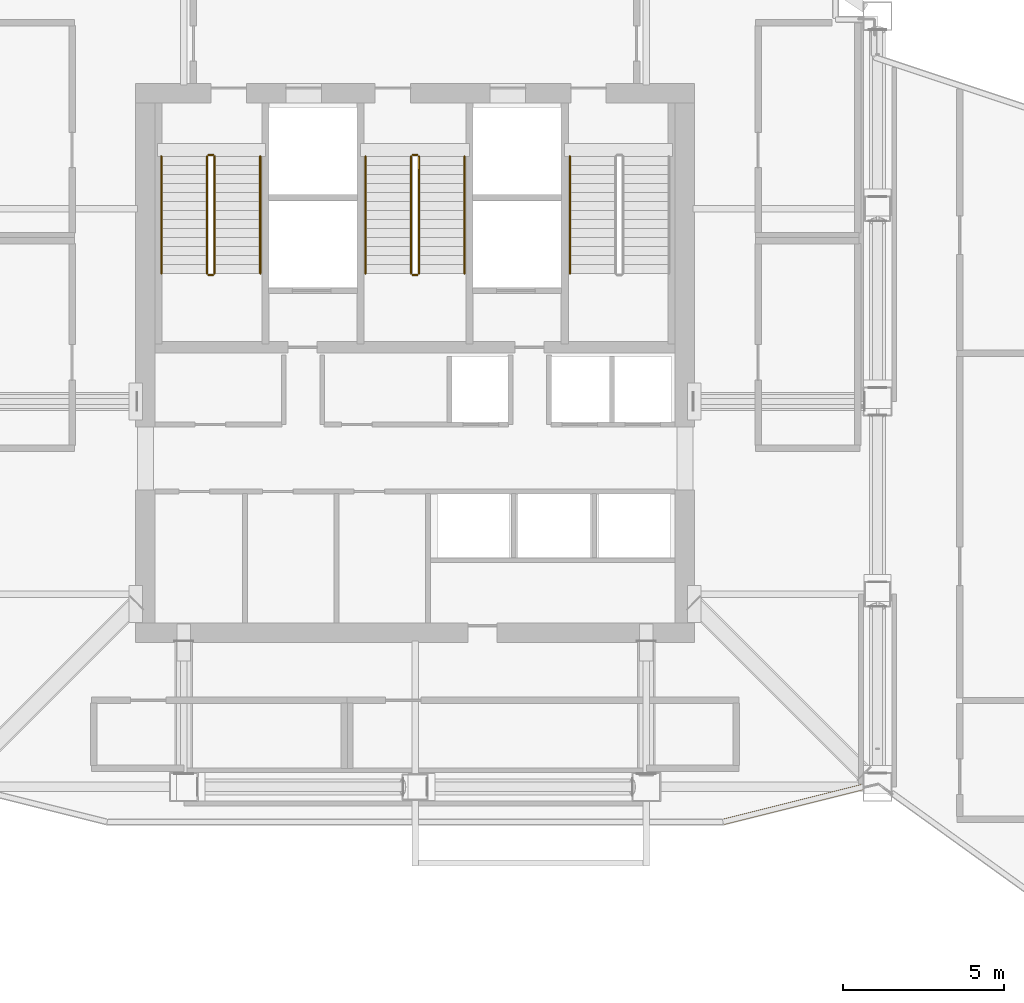
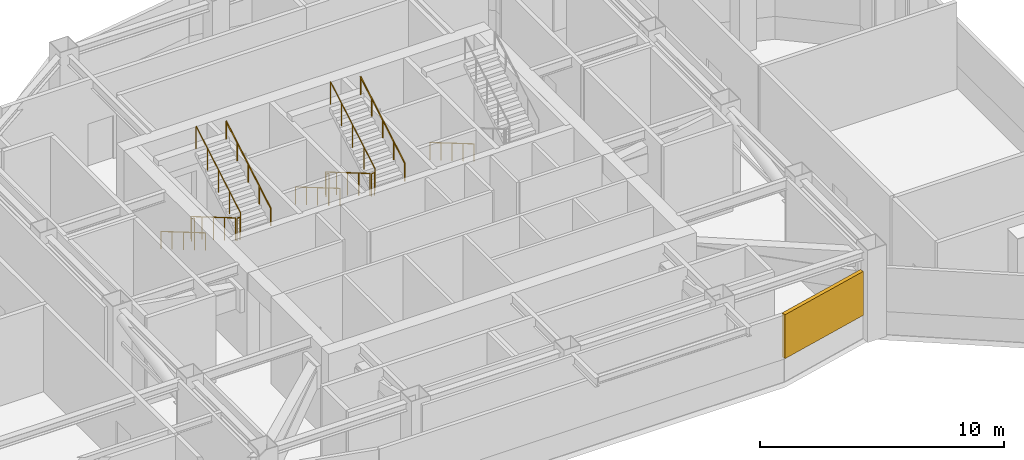
# One storey, part 17 of 19: 13 railings, 1 shading device.
"""IFC4 building model written with IfcOpenShell, lengths in metres."""

from ifc_helpers import new_model, si_unit, direction, frame, origin, origin_2d, place, context, subcontext, project, spatial, rectangle, circle, extrude, material, type_object, element, save


model = new_model("IFC4")

# Units and contexts
model_context = context("Model", 3, precision=1e-05, world=origin(), true_north=direction((0.0, 1.0)))
body_context = subcontext(model_context, "Body", "Model", "MODEL_VIEW")
ifc_project = project(units=[si_unit("LENGTHUNIT", "METRE"), si_unit("AREAUNIT", "SQUARE_METRE"), si_unit("VOLUMEUNIT", "CUBIC_METRE"), si_unit("PLANEANGLEUNIT", "RADIAN"), si_unit("MASSUNIT", "GRAM", prefix="KILO")], contexts=[model_context])

# Site, building, storey
site_placement = place(None, origin())
site = spatial("IfcSite", under=ifc_project, at=site_placement, CompositionType="ELEMENT")
building_placement = place(site_placement, origin())
building = spatial("IfcBuilding", under=site, at=building_placement, Name="Haolan Belvedere Tower", CompositionType="ELEMENT")
storey_placement = place(building_placement, frame((0.0, 0.0, 230.60009765625)))
storey = spatial("IfcBuildingStorey", under=building, at=storey_placement, Name="L58", CompositionType="ELEMENT", Elevation=230.60009765625)

# Railings
ifc_material_1 = material(Name="Brushed stainless steel 304", Category="steel")
railing_type_1 = type_object("IfcRailingType", Name="RL-STAIR-GRD-1150", PredefinedType="GUARDRAIL", material=ifc_material_1)
railing_1_placement = place(storey_placement, frame((31.919921875, 41.22998046875, 0.164306640625)))
element("IfcRailing", 1, at=railing_1_placement, inside=storey, type_object=railing_type_1, Name="L58 ST1 stair guard 1", PredefinedType="GUARDRAIL", context=body_context, shape_type="SweptSolid", body=[
    extrude(circle(Radius=0.02392578125, at=origin_2d()), frame((0.0, 0.0, 1.1259765625), z_axis=(0.0, -0.862515142463, 0.50603125301), x_axis=(1.0, 0.0, 0.0)), (0.0, 0.0, 1.0), 4.219970703125),
    extrude(circle(Radius=0.02099609375, at=origin_2d()), origin(), (0.0, 0.0, 1.0), 1.101806640625),
    extrude(circle(Radius=0.02099609375, at=origin_2d()), frame((0.0, -0.909912109375, 0.533935546875)), (0.0, 0.0, 1.0), 1.101806640625),
    extrude(circle(Radius=0.02099609375, at=origin_2d()), frame((0.0, -1.81982421875, 1.06787109375)), (0.0, 0.0, 1.0), 1.101806640625),
    extrude(circle(Radius=0.02099609375, at=origin_2d()), frame((0.0, -2.72998046875, 1.6015625)), (0.0, 0.0, 1.0), 1.101806640625),
    extrude(circle(Radius=0.02099609375, at=origin_2d()), frame((0.0, -3.639892578125, 2.135498046875)), (0.0, 0.0, 1.0), 1.101806640625),
])
railing_2_placement = place(storey_placement, frame((31.969970703125, 37.5400390625, 2.2998046875)))
element("IfcRailing", 2, at=railing_2_placement, inside=storey, type_object=railing_type_1, Name="L58 ST1 stair guard 2", PredefinedType="GUARDRAIL", context=body_context, shape_type="SweptSolid", body=[
    extrude(circle(Radius=0.02392578125, at=origin_2d()), frame((0.0, 0.0, 1.1259765625), z_axis=(1.0, 0.0, 0.0), x_axis=(0.0, 1.0, 0.0)), (0.0, 0.0, 1.0), 0.14013671875),
    extrude(circle(Radius=0.02099609375, at=origin_2d()), origin(), (0.0, 0.0, 1.0), 1.101806640625),
    extrude(circle(Radius=0.02099609375, at=origin_2d()), frame((0.14013671875, 0.0, 0.0)), (0.0, 0.0, 1.0), 1.101806640625),
])
railing_3_placement = place(storey_placement, frame((32.159912109375, 37.590087890625, 2.464111328125)))
element("IfcRailing", 3, at=railing_3_placement, inside=storey, type_object=railing_type_1, Name="L58 ST1 stair guard 3", PredefinedType="GUARDRAIL", context=body_context, shape_type="SweptSolid", body=[
    extrude(circle(Radius=0.02392578125, at=origin_2d()), frame((0.0, 0.0, 1.1259765625), z_axis=(0.0, 0.862489892076, 0.506074289079), x_axis=(-1.0, 0.0, 0.0)), (0.0, 0.0, 1.0), 4.22021484375),
    extrude(circle(Radius=0.02099609375, at=origin_2d()), origin(), (0.0, 0.0, 1.0), 1.101806640625),
    extrude(circle(Radius=0.02099609375, at=origin_2d()), frame((0.0, 0.909912109375, 0.533935546875)), (0.0, 0.0, 1.0), 1.101806640625),
    extrude(circle(Radius=0.02099609375, at=origin_2d()), frame((0.0, 1.81982421875, 1.06787109375)), (0.0, 0.0, 1.0), 1.101806640625),
    extrude(circle(Radius=0.02099609375, at=origin_2d()), frame((0.0, 2.72998046875, 1.601806640625)), (0.0, 0.0, 1.0), 1.101806640625),
    extrude(circle(Radius=0.02099609375, at=origin_2d()), frame((0.0, 3.639892578125, 2.1357421875)), (0.0, 0.0, 1.0), 1.101806640625),
])
railing_4_placement = place(storey_placement, frame((31.969970703125, 41.280029296875, 0.0)))
element("IfcRailing", 4, at=railing_4_placement, inside=storey, type_object=railing_type_1, Name="L58 ST1 stair guard 4", PredefinedType="GUARDRAIL", context=body_context, shape_type="SweptSolid", body=[
    extrude(circle(Radius=0.02392578125, at=origin_2d()), frame((0.0, 0.0, 1.1259765625), z_axis=(1.0, 0.0, 0.0), x_axis=(0.0, 1.0, 0.0)), (0.0, 0.0, 1.0), 0.14013671875),
    extrude(circle(Radius=0.02099609375, at=origin_2d()), origin(), (0.0, 0.0, 1.0), 1.101806640625),
    extrude(circle(Radius=0.02099609375, at=origin_2d()), frame((0.14013671875, 0.0, 0.0)), (0.0, 0.0, 1.0), 1.101806640625),
])
railing_5_placement = place(storey_placement, frame((38.280029296875, 41.22998046875, 0.164306640625)))
element("IfcRailing", 5, at=railing_5_placement, inside=storey, type_object=railing_type_1, Name="L58 ST3 stair guard 1", PredefinedType="GUARDRAIL", context=body_context, shape_type="SweptSolid", body=[
    extrude(circle(Radius=0.02392578125, at=origin_2d()), frame((0.0, 0.0, 1.1259765625), z_axis=(0.0, -0.862515142463, 0.50603125301), x_axis=(1.0, 0.0, 0.0)), (0.0, 0.0, 1.0), 4.219970703125),
    extrude(circle(Radius=0.02099609375, at=origin_2d()), origin(), (0.0, 0.0, 1.0), 1.101806640625),
    extrude(circle(Radius=0.02099609375, at=origin_2d()), frame((0.0, -0.909912109375, 0.533935546875)), (0.0, 0.0, 1.0), 1.101806640625),
    extrude(circle(Radius=0.02099609375, at=origin_2d()), frame((0.0, -1.81982421875, 1.06787109375)), (0.0, 0.0, 1.0), 1.101806640625),
    extrude(circle(Radius=0.02099609375, at=origin_2d()), frame((0.0, -2.72998046875, 1.6015625)), (0.0, 0.0, 1.0), 1.101806640625),
    extrude(circle(Radius=0.02099609375, at=origin_2d()), frame((0.0, -3.639892578125, 2.135498046875)), (0.0, 0.0, 1.0), 1.101806640625),
])
railing_6_placement = place(storey_placement, frame((38.330078125, 37.5400390625, 2.2998046875)))
element("IfcRailing", 6, at=railing_6_placement, inside=storey, type_object=railing_type_1, Name="L58 ST3 stair guard 2", PredefinedType="GUARDRAIL", context=body_context, shape_type="SweptSolid", body=[
    extrude(circle(Radius=0.02392578125, at=origin_2d()), frame((0.0, 0.0, 1.1259765625), z_axis=(1.0, 0.0, 0.0), x_axis=(0.0, 1.0, 0.0)), (0.0, 0.0, 1.0), 0.139892578125),
    extrude(circle(Radius=0.02099609375, at=origin_2d()), origin(), (0.0, 0.0, 1.0), 1.101806640625),
    extrude(circle(Radius=0.02099609375, at=origin_2d()), frame((0.139892578125, 0.0, 0.0)), (0.0, 0.0, 1.0), 1.101806640625),
])
railing_7_placement = place(storey_placement, frame((38.52001953125, 37.590087890625, 2.464111328125)))
element("IfcRailing", 7, at=railing_7_placement, inside=storey, type_object=railing_type_1, Name="L58 ST3 stair guard 3", PredefinedType="GUARDRAIL", context=body_context, shape_type="SweptSolid", body=[
    extrude(circle(Radius=0.02392578125, at=origin_2d()), frame((0.0, 0.0, 1.1259765625), z_axis=(0.0, 0.862489892076, 0.506074289079), x_axis=(-1.0, 0.0, 0.0)), (0.0, 0.0, 1.0), 4.22021484375),
    extrude(circle(Radius=0.02099609375, at=origin_2d()), origin(), (0.0, 0.0, 1.0), 1.101806640625),
    extrude(circle(Radius=0.02099609375, at=origin_2d()), frame((0.0, 0.909912109375, 0.533935546875)), (0.0, 0.0, 1.0), 1.101806640625),
    extrude(circle(Radius=0.02099609375, at=origin_2d()), frame((0.0, 1.81982421875, 1.06787109375)), (0.0, 0.0, 1.0), 1.101806640625),
    extrude(circle(Radius=0.02099609375, at=origin_2d()), frame((0.0, 2.72998046875, 1.601806640625)), (0.0, 0.0, 1.0), 1.101806640625),
    extrude(circle(Radius=0.02099609375, at=origin_2d()), frame((0.0, 3.639892578125, 2.1357421875)), (0.0, 0.0, 1.0), 1.101806640625),
])
railing_8_placement = place(storey_placement, frame((38.330078125, 41.280029296875, 0.0)))
element("IfcRailing", 8, at=railing_8_placement, inside=storey, type_object=railing_type_1, Name="L58 ST3 stair guard 4", PredefinedType="GUARDRAIL", context=body_context, shape_type="SweptSolid", body=[
    extrude(circle(Radius=0.02392578125, at=origin_2d()), frame((0.0, 0.0, 1.1259765625), z_axis=(1.0, 0.0, 0.0), x_axis=(0.0, 1.0, 0.0)), (0.0, 0.0, 1.0), 0.139892578125),
    extrude(circle(Radius=0.02099609375, at=origin_2d()), origin(), (0.0, 0.0, 1.0), 1.101806640625),
    extrude(circle(Radius=0.02099609375, at=origin_2d()), frame((0.139892578125, 0.0, 0.0)), (0.0, 0.0, 1.0), 1.101806640625),
])
railing_type_2 = type_object("IfcRailingType", Name="RL-STAIR-HND-900", PredefinedType="HANDRAIL", material=ifc_material_1)
railing_9_placement = place(storey_placement, frame((30.5, 41.22998046875, 0.164306640625)))
element("IfcRailing", 9, at=railing_9_placement, inside=storey, type_object=railing_type_2, Name="L58 ST1 stair handrail 1", PredefinedType="HANDRAIL", context=body_context, shape_type="SweptSolid", body=[
    extrude(circle(Radius=0.02392578125, at=origin_2d()), frame((0.0, 0.0, 0.8759765625), z_axis=(0.0, -0.862515142463, 0.50603125301), x_axis=(1.0, 0.0, 0.0)), (0.0, 0.0, 1.0), 4.219970703125),
    extrude(circle(Radius=0.02099609375, at=origin_2d()), origin(), (0.0, 0.0, 1.0), 0.851806640625),
    extrude(circle(Radius=0.02099609375, at=origin_2d()), frame((0.0, -0.909912109375, 0.533935546875)), (0.0, 0.0, 1.0), 0.851806640625),
    extrude(circle(Radius=0.02099609375, at=origin_2d()), frame((0.0, -1.81982421875, 1.06787109375)), (0.0, 0.0, 1.0), 0.851806640625),
    extrude(circle(Radius=0.02099609375, at=origin_2d()), frame((0.0, -2.72998046875, 1.6015625)), (0.0, 0.0, 1.0), 0.851806640625),
    extrude(circle(Radius=0.02099609375, at=origin_2d()), frame((0.0, -3.639892578125, 2.135498046875)), (0.0, 0.0, 1.0), 0.851806640625),
])
railing_10_placement = place(storey_placement, frame((33.580078125, 37.590087890625, 2.464111328125)))
element("IfcRailing", 10, at=railing_10_placement, inside=storey, type_object=railing_type_2, Name="L58 ST1 stair handrail 2", PredefinedType="HANDRAIL", context=body_context, shape_type="SweptSolid", body=[
    extrude(circle(Radius=0.02392578125, at=origin_2d()), frame((0.0, 0.0, 0.8759765625), z_axis=(0.0, 0.862489892076, 0.506074289079), x_axis=(-1.0, 0.0, 0.0)), (0.0, 0.0, 1.0), 4.22021484375),
    extrude(circle(Radius=0.02099609375, at=origin_2d()), origin(), (0.0, 0.0, 1.0), 0.851806640625),
    extrude(circle(Radius=0.02099609375, at=origin_2d()), frame((0.0, 0.909912109375, 0.533935546875)), (0.0, 0.0, 1.0), 0.851806640625),
    extrude(circle(Radius=0.02099609375, at=origin_2d()), frame((0.0, 1.81982421875, 1.06787109375)), (0.0, 0.0, 1.0), 0.851806640625),
    extrude(circle(Radius=0.02099609375, at=origin_2d()), frame((0.0, 2.72998046875, 1.601806640625)), (0.0, 0.0, 1.0), 0.851806640625),
    extrude(circle(Radius=0.02099609375, at=origin_2d()), frame((0.0, 3.639892578125, 2.1357421875)), (0.0, 0.0, 1.0), 0.851806640625),
])
railing_11_placement = place(storey_placement, frame((36.860107421875, 41.22998046875, 0.164306640625)))
element("IfcRailing", 11, at=railing_11_placement, inside=storey, type_object=railing_type_2, Name="L58 ST3 stair handrail 1", PredefinedType="HANDRAIL", context=body_context, shape_type="SweptSolid", body=[
    extrude(circle(Radius=0.02392578125, at=origin_2d()), frame((0.0, 0.0, 0.8759765625), z_axis=(0.0, -0.862515142463, 0.50603125301), x_axis=(1.0, 0.0, 0.0)), (0.0, 0.0, 1.0), 4.219970703125),
    extrude(circle(Radius=0.02099609375, at=origin_2d()), origin(), (0.0, 0.0, 1.0), 0.851806640625),
    extrude(circle(Radius=0.02099609375, at=origin_2d()), frame((0.0, -0.909912109375, 0.533935546875)), (0.0, 0.0, 1.0), 0.851806640625),
    extrude(circle(Radius=0.02099609375, at=origin_2d()), frame((0.0, -1.81982421875, 1.06787109375)), (0.0, 0.0, 1.0), 0.851806640625),
    extrude(circle(Radius=0.02099609375, at=origin_2d()), frame((0.0, -2.72998046875, 1.6015625)), (0.0, 0.0, 1.0), 0.851806640625),
    extrude(circle(Radius=0.02099609375, at=origin_2d()), frame((0.0, -3.639892578125, 2.135498046875)), (0.0, 0.0, 1.0), 0.851806640625),
])
railing_12_placement = place(storey_placement, frame((39.93994140625, 37.590087890625, 2.464111328125)))
element("IfcRailing", 12, at=railing_12_placement, inside=storey, type_object=railing_type_2, Name="L58 ST3 stair handrail 2", PredefinedType="HANDRAIL", context=body_context, shape_type="SweptSolid", body=[
    extrude(circle(Radius=0.02392578125, at=origin_2d()), frame((0.0, 0.0, 0.8759765625), z_axis=(0.0, 0.862489892076, 0.506074289079), x_axis=(-1.0, 0.0, 0.0)), (0.0, 0.0, 1.0), 4.22021484375),
    extrude(circle(Radius=0.02099609375, at=origin_2d()), origin(), (0.0, 0.0, 1.0), 0.851806640625),
    extrude(circle(Radius=0.02099609375, at=origin_2d()), frame((0.0, 0.909912109375, 0.533935546875)), (0.0, 0.0, 1.0), 0.851806640625),
    extrude(circle(Radius=0.02099609375, at=origin_2d()), frame((0.0, 1.81982421875, 1.06787109375)), (0.0, 0.0, 1.0), 0.851806640625),
    extrude(circle(Radius=0.02099609375, at=origin_2d()), frame((0.0, 2.72998046875, 1.601806640625)), (0.0, 0.0, 1.0), 0.851806640625),
    extrude(circle(Radius=0.02099609375, at=origin_2d()), frame((0.0, 3.639892578125, 2.1357421875)), (0.0, 0.0, 1.0), 0.851806640625),
])
railing_13_placement = place(storey_placement, frame((43.219970703125, 41.22998046875, 0.164306640625)))
element("IfcRailing", 13, at=railing_13_placement, inside=storey, type_object=railing_type_2, Name="L58 ST2 stair handrail 1", PredefinedType="HANDRAIL", context=body_context, shape_type="SweptSolid", body=[
    extrude(circle(Radius=0.02392578125, at=origin_2d()), frame((0.0, 0.0, 0.8759765625), z_axis=(0.0, -0.862515142463, 0.50603125301), x_axis=(1.0, 0.0, 0.0)), (0.0, 0.0, 1.0), 4.219970703125),
    extrude(circle(Radius=0.02099609375, at=origin_2d()), origin(), (0.0, 0.0, 1.0), 0.851806640625),
    extrude(circle(Radius=0.02099609375, at=origin_2d()), frame((0.0, -0.909912109375, 0.533935546875)), (0.0, 0.0, 1.0), 0.851806640625),
    extrude(circle(Radius=0.02099609375, at=origin_2d()), frame((0.0, -1.81982421875, 1.06787109375)), (0.0, 0.0, 1.0), 0.851806640625),
    extrude(circle(Radius=0.02099609375, at=origin_2d()), frame((0.0, -2.72998046875, 1.6015625)), (0.0, 0.0, 1.0), 0.851806640625),
    extrude(circle(Radius=0.02099609375, at=origin_2d()), frame((0.0, -3.639892578125, 2.135498046875)), (0.0, 0.0, 1.0), 0.851806640625),
])

# Shading device
ifc_material_2 = material(Name="Anodised champagne-silver aluminium 6063-T6", Category="aluminium")
shading_device_type = type_object("IfcShadingDeviceType", Name="SHD-LOUV-180", PredefinedType="JALOUSIE", material=ifc_material_2)
shading_device_placement = place(storey_placement, frame((50.172119140625, 21.056396484375, 1.14990234375), z_axis=(0.0, 0.0, 1.0), x_axis=(0.970139297626, 0.242548434753, 0.0)))
element("IfcShadingDevice", 14, at=shading_device_placement, inside=storey, type_object=shading_device_type, Name="L58 refuge storm-proof louvre bank 2.1", PredefinedType="JALOUSIE", context=body_context, shape_type="SweptSolid", body=[
    extrude(rectangle(XDim=4.466064453125, YDim=0.179931640625, at=origin_2d()), origin(), (0.0, 0.0, 1.0), 2.199951171875),
])

save(model, "model.ifc")
